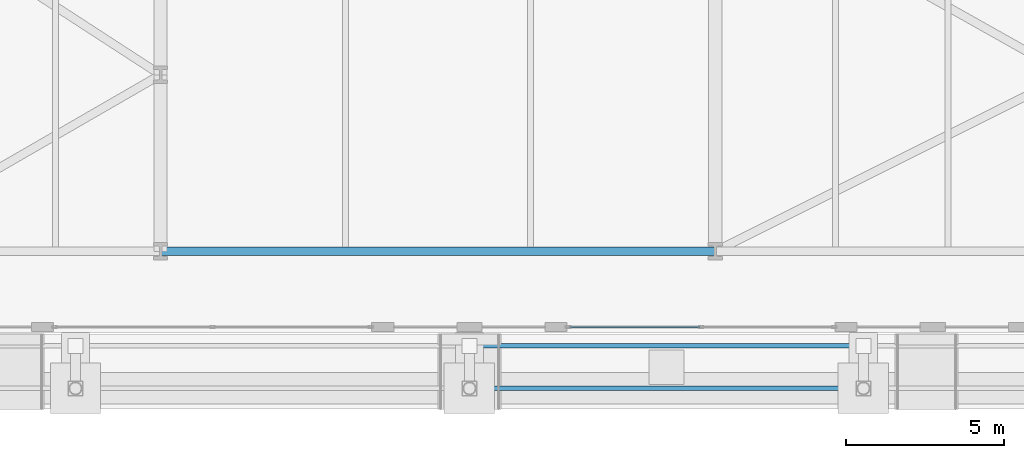
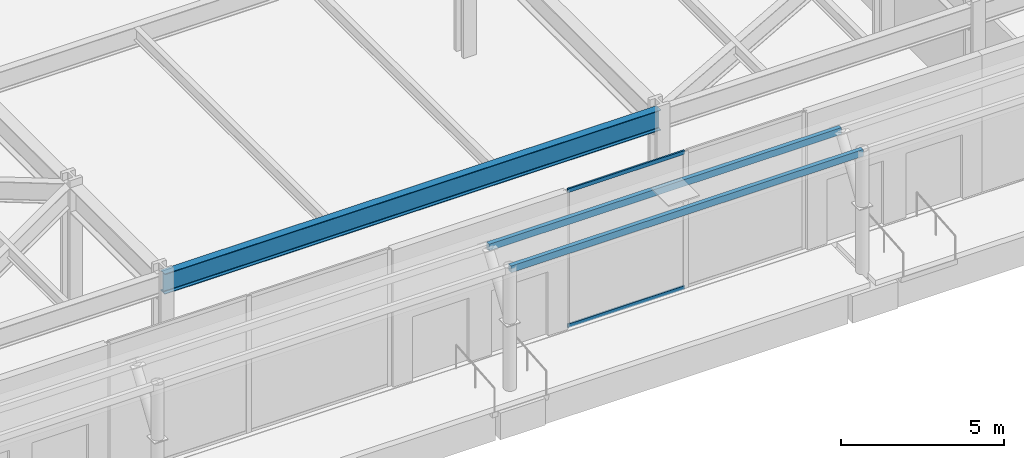
# One storey, part 12 of 31: 4 members, 1 beam, 1 element without a shape of its own.
"""IFC4 building model written with IfcOpenShell, lengths in metres."""

from ifc_helpers import new_model, si_unit, direction, frame, origin, origin_2d, place, context, subcontext, project, spatial, hollow_rectangle, i_section, extrude, material, layer, layer_set, material_profile, profile_set, type_object, element, aggregate, save


model = new_model("IFC4")

# Units and contexts
model_context = context("Model", 3, precision=1e-05, world=origin(), true_north=direction((0.0, 1.0)))
body_context = subcontext(model_context, "Body", "Model", "MODEL_VIEW")
ifc_project = project(units=[si_unit("LENGTHUNIT", "METRE"), si_unit("AREAUNIT", "SQUARE_METRE"), si_unit("VOLUMEUNIT", "CUBIC_METRE"), si_unit("PLANEANGLEUNIT", "RADIAN"), si_unit("MASSUNIT", "GRAM", prefix="KILO")], contexts=[model_context])

# Site, building, storey
site_placement = place(None, origin())
site = spatial("IfcSite", under=ifc_project, at=site_placement, CompositionType="ELEMENT")
building_placement = place(site_placement, origin())
building = spatial("IfcBuilding", under=site, at=building_placement, Name="Kravanh Interchange Tower", CompositionType="ELEMENT")
storey_placement = place(building_placement, origin())
storey = spatial("IfcBuildingStorey", under=building, at=storey_placement, Name="L00", CompositionType="ELEMENT", Elevation=0.0)

# Members
ifc_material_1 = material(Name="Structural Steel S355", Category="steel")
ifc_material_profile_1 = material_profile(ifc_material_1, hollow_rectangle(XDim=0.14990234375, YDim=0.25, WallThickness=0.010009765625, at=origin_2d()), Name="HSS250X150X10")
ifc_profile_set_1 = profile_set([ifc_material_profile_1], Name="Structural Steel S355")
member_type_1 = type_object("IfcMemberType", Name="Canopy Roof Purlin HSS250X150X10 Structural Steel S355", PredefinedType="PURLIN", material=ifc_profile_set_1)
for number, where, z_axis, x_axis, name in (
    (1, (37.0, -0.39990234375, 4.47509765625), (1.0, 0.0, 0.0), (0.0, 1.0, 0.0), "Transit Canopy Purlin 4A"),
    (2, (37.0, -1.75, 4.47509765625), (1.0, 0.0, 0.0), (0.0, 1.0, 0.0), "Transit Canopy Purlin 4B"),
):
    element("IfcMember", number, at=place(storey_placement, frame(where, z_axis=z_axis, x_axis=x_axis)), inside=storey, type_object=member_type_1, Name=name, PredefinedType="PURLIN", context=body_context, shape_type="SweptSolid", body=[
        extrude(hollow_rectangle(XDim=0.14990234375, YDim=0.25, WallThickness=0.010009765625, at=origin_2d()), origin(), (0.0, 0.0, 1.0), 12.5),
    ])

# Curtain wall, members
ifc_material_2 = material(Name="Anodised Bronze Aluminium", Category="aluminium")
ifc_layer = layer(ifc_material_2, 0.179931640625)
ifc_layer_set = layer_set([ifc_layer], Name="Unitised Curtain Wall System CW-POD Podium Concourse")
curtain_wall_type = type_object("IfcCurtainWallType", Name="Unitised Curtain Wall System CW-POD Podium Concourse", PredefinedType="NOTDEFINED", material=ifc_layer_set)
curtain_wall_placement = place(storey_placement, origin())
curtain_wall = element("IfcCurtainWall", 3, at=curtain_wall_placement, inside=storey, type_object=curtain_wall_type, Name="L00 Unitised Curtain Wall CW-L00-02", PredefinedType="NOTDEFINED")
ifc_material_3 = material(Name="Anodised Bronze Aluminium", Category="aluminium")
ifc_material_profile_2 = material_profile(ifc_material_3, hollow_rectangle(XDim=0.06005859375, YDim=0.139892578125, WallThickness=0.00390625, at=origin_2d()), Name="ALU60X140X4")
ifc_profile_set_2 = profile_set([ifc_material_profile_2], Name="Anodised Bronze Aluminium")
member_type_2 = type_object("IfcMemberType", Name="Curtain Wall Transom ALU60X140X4 Bronze", PredefinedType="USERDEFINED", material=ifc_profile_set_2)
member_1_placement = place(storey_placement, frame((40.169921875, 0.199951171875, 0.030029296875), z_axis=(1.0, 0.0, 0.0), x_axis=(0.0, 1.0, 0.0)))
member_1 = element("IfcMember", 4, at=member_1_placement, type_object=member_type_2, Name="CW-POD transom 1.1", ObjectType="TRANSOM", PredefinedType="USERDEFINED", context=body_context, shape_type="SweptSolid", body=[
    extrude(hollow_rectangle(XDim=0.06005859375, YDim=0.139892578125, WallThickness=0.00390625, at=origin_2d()), origin(), (0.0, 0.0, 1.0), 4.14501953125),
])
member_2_placement = place(storey_placement, frame((40.169921875, 0.199951171875, 5.10009765625), z_axis=(1.0, 0.0, 0.0), x_axis=(0.0, 1.0, 0.0)))
member_2 = element("IfcMember", 5, at=member_2_placement, type_object=member_type_2, Name="CW-POD transom 1.2", ObjectType="TRANSOM", PredefinedType="USERDEFINED", context=body_context, shape_type="SweptSolid", body=[
    extrude(hollow_rectangle(XDim=0.06005859375, YDim=0.139892578125, WallThickness=0.00390625, at=origin_2d()), origin(), (0.0, 0.0, 1.0), 4.14501953125),
])
aggregate(curtain_wall, [member_1, member_2])

# Beam
ifc_material_4 = material(Name="Structural Steel S355", Category="steel")
ifc_material_profile_3 = material_profile(ifc_material_4, i_section(OverallWidth=0.26708984375, OverallDepth=0.761962890625, WebThickness=0.014404296875, FlangeThickness=0.021484375, FilletRadius=0.02490234375, at=origin_2d()), Name="W30X116")
ifc_profile_set_3 = profile_set([ifc_material_profile_3], Name="Structural Steel S355")
beam_type = type_object("IfcBeamType", Name="Floor Spandrel W30X116 Structural Steel S355", PredefinedType="SPANDREL", material=ifc_profile_set_3)
beam_placement = place(storey_placement, frame((27.199951171875, 2.60009765625, 4.7490234375), z_axis=(1.0, 0.0, 0.0), x_axis=(0.0, 1.0, 0.0)))
element("IfcBeam", 6, at=beam_placement, inside=storey, type_object=beam_type, Name="L00 Perimeter Spandrel 9", PredefinedType="SPANDREL", context=body_context, shape_type="SweptSolid", body=[
    extrude(i_section(OverallWidth=0.26708984375, OverallDepth=0.761962890625, WebThickness=0.014404296875, FlangeThickness=0.021484375, FilletRadius=0.02490234375, at=origin_2d()), origin(), (0.0, 0.0, 1.0), 17.60009765625),
])

save(model, "model.ifc")
